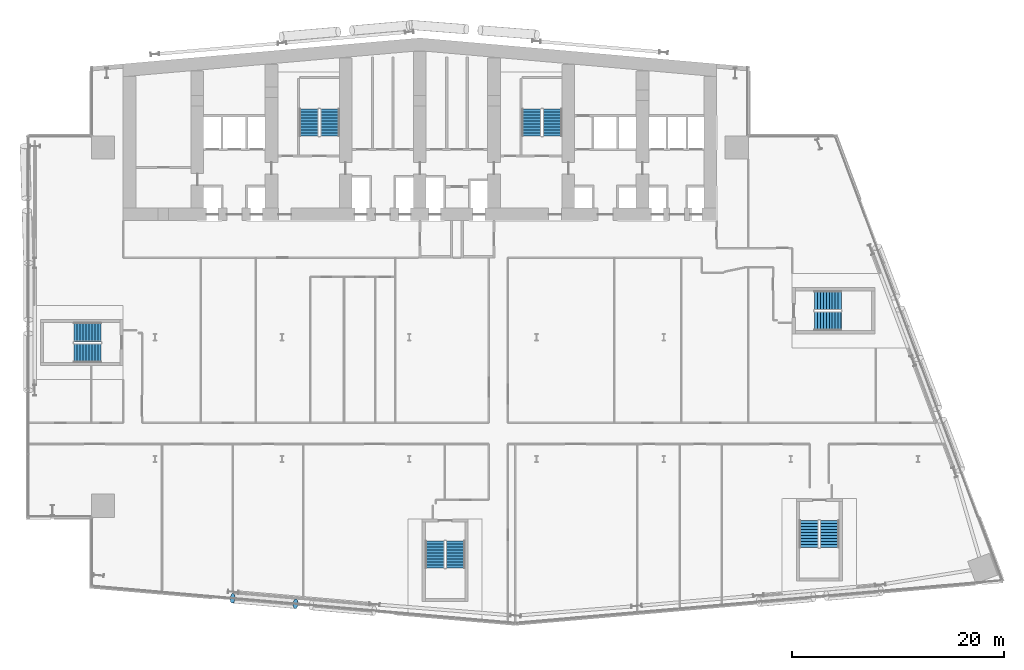
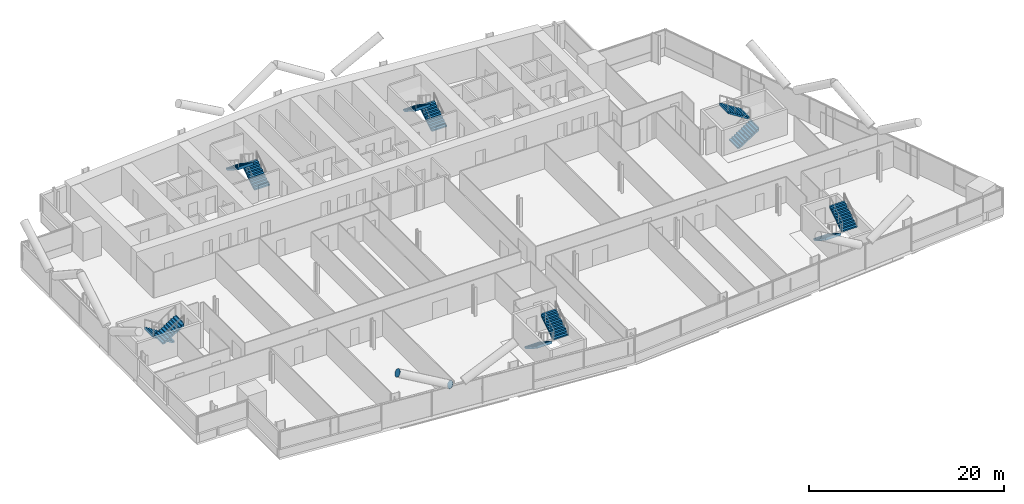
# One storey, part 20 of 27: 12 stair flights, 2 discrete accessories, 6 elements without a shape of their own.
"""IFC4 building model written with IfcOpenShell, lengths in metres."""

from ifc_helpers import new_model, si_unit, direction, frame, origin, origin_2d, place, context, subcontext, project, spatial, polyline, circle, outline, extrude, material, material_profile, profile_set, type_object, element, aggregate, save


model = new_model("IFC4")

# Units and contexts
model_context = context("Model", 3, precision=1e-05, world=origin(), true_north=direction((0.0, 1.0)))
body_context = subcontext(model_context, "Body", "Model", "MODEL_VIEW")
ifc_project = project(units=[si_unit("LENGTHUNIT", "METRE"), si_unit("AREAUNIT", "SQUARE_METRE"), si_unit("VOLUMEUNIT", "CUBIC_METRE"), si_unit("PLANEANGLEUNIT", "RADIAN"), si_unit("MASSUNIT", "GRAM", prefix="KILO")], contexts=[model_context])

# Site, building, storey
site_placement = place(None, origin())
site = spatial("IfcSite", under=ifc_project, at=site_placement, CompositionType="ELEMENT")
building_placement = place(site_placement, origin())
building = spatial("IfcBuilding", under=site, at=building_placement, Name="Wharfspan Tower", CompositionType="ELEMENT")
storey_placement = place(building_placement, frame((0.0, 0.0, 84.699951)))
storey = spatial("IfcBuildingStorey", under=building, at=storey_placement, Name="L18", CompositionType="ELEMENT", Elevation=84.699951)

# Stair, stair flights
ifc_material_1 = material(Name="Concrete C40/50", Category="concrete")
stair_type = type_object("IfcStairType", Name="Half-turn stair 20 risers 180 mm", PredefinedType="HALF_TURN_STAIR", material=ifc_material_1)
stair_1_placement = place(storey_placement, origin())
stair_1 = element("IfcStair", 1, at=stair_1_placement, inside=storey, type_object=stair_type, Name="L18 stair ST1", PredefinedType="HALF_TURN_STAIR")
stair_flight_type = type_object("IfcStairFlightType", Name="Stair flight 20 risers 180 mm", PredefinedType="STRAIGHT", material=ifc_material_1)
stair_flight_1_placement = place(storey_placement, frame((28.5, 42.0, 0.0), z_axis=(0.0, 0.0, 1.0), x_axis=(0.0, 1.0, 0.0)))
stair_flight_1 = element("IfcStairFlight", 2, at=stair_flight_1_placement, type_object=stair_flight_type, Name="ST1 flight 1", NumberOfRisers=10, NumberOfTreads=9, PredefinedType="STRAIGHT", RiserHeight=0.18, TreadLength=0.28, context=body_context, shape_type="SweptSolid", body=[
    extrude(outline(polyline([(-0.011963, 0.0), (-0.011963, 0.179932), (0.0, 0.179932), (0.280029, 0.179932), (0.280029, 0.360107), (0.560059, 0.360107), (0.560059, 0.540039), (0.840088, 0.540039), (0.840088, 0.719971), (1.120117, 0.719971), (1.120117, 0.899902), (1.399902, 0.899902), (1.399902, 1.080078), (1.679932, 1.080078), (1.679932, 1.26001), (1.959961, 1.26001), (1.959961, 1.439941), (2.23999, 1.439941), (2.23999, 1.620117), (2.52002, 1.620117), (2.531982, 1.800049), (2.531982, 1.441895), (0.2771, 0.0), (-0.011963, 0.0)])), frame((0.0, 0.899902, 0.0), z_axis=(0.0, -1.0, 0.0), x_axis=(1.0, 0.0, 0.0)), (0.0, 0.0, 1.0), 0.899414),
    extrude(outline(polyline([(-0.011963, 0.0), (-0.011963, 0.179932), (0.0, 0.179932), (0.280029, 0.179932), (0.280029, 0.360107), (0.560059, 0.360107), (0.560059, 0.540039), (0.840088, 0.540039), (0.840088, 0.719971), (1.120117, 0.719971), (1.120117, 0.899902), (1.399902, 0.899902), (1.399902, 1.080078), (1.679932, 1.080078), (1.679932, 1.26001), (1.959961, 1.26001), (1.959961, 1.439941), (2.23999, 1.439941), (2.23999, 1.620117), (2.52002, 1.620117), (2.531982, 1.800049), (2.531982, 1.441895), (0.2771, 0.0), (-0.011963, 0.0)])), frame((0.0, -0.000488, 0.0), z_axis=(0.0, -1.0, 0.0), x_axis=(1.0, 0.0, 0.0)), (0.0, 0.0, 1.0), 0.899414),
])
stair_flight_2_placement = place(storey_placement, frame((26.550049, 44.52002, 1.800049), z_axis=(0.0, 0.0, 1.0), x_axis=(0.0, -1.0, 0.0)))
stair_flight_2 = element("IfcStairFlight", 3, at=stair_flight_2_placement, type_object=stair_flight_type, Name="ST1 flight 2", NumberOfRisers=10, NumberOfTreads=9, PredefinedType="STRAIGHT", RiserHeight=0.18, TreadLength=0.28, context=body_context, shape_type="SweptSolid", body=[
    extrude(outline(polyline([(-0.011963, 0.0), (-0.011963, 0.179932), (0.0, 0.179932), (0.280029, 0.179932), (0.280029, 0.360107), (0.560059, 0.360107), (0.560059, 0.540039), (0.840088, 0.540039), (0.840088, 0.719971), (1.120117, 0.719971), (1.120117, 0.899902), (1.399902, 0.899902), (1.399902, 1.080078), (1.679932, 1.080078), (1.679932, 1.26001), (1.959961, 1.26001), (1.959961, 1.439941), (2.23999, 1.439941), (2.23999, 1.620117), (2.52002, 1.620117), (2.531982, 1.800049), (2.531982, 1.441895), (0.2771, 0.0), (-0.011963, 0.0)])), frame((0.0, 0.899902, 0.0), z_axis=(0.0, -1.0, 0.0), x_axis=(1.0, 0.0, 0.0)), (0.0, 0.0, 1.0), 0.899414),
    extrude(outline(polyline([(-0.011963, 0.0), (-0.011963, 0.179932), (0.0, 0.179932), (0.280029, 0.179932), (0.280029, 0.360107), (0.560059, 0.360107), (0.560059, 0.540039), (0.840088, 0.540039), (0.840088, 0.719971), (1.120117, 0.719971), (1.120117, 0.899902), (1.399902, 0.899902), (1.399902, 1.080078), (1.679932, 1.080078), (1.679932, 1.26001), (1.959961, 1.26001), (1.959961, 1.439941), (2.23999, 1.439941), (2.23999, 1.620117), (2.52002, 1.620117), (2.531982, 1.800049), (2.531982, 1.441895), (0.2771, 0.0), (-0.011963, 0.0)])), frame((0.0, -0.000488, 0.0), z_axis=(0.0, -1.0, 0.0), x_axis=(1.0, 0.0, 0.0)), (0.0, 0.0, 1.0), 0.899414),
])
aggregate(stair_1, [stair_flight_1, stair_flight_2])

stair_2_placement = place(storey_placement, origin())
stair_2 = element("IfcStair", 4, at=stair_2_placement, inside=storey, type_object=stair_type, Name="L18 stair ST2", PredefinedType="HALF_TURN_STAIR")
stair_flight_3_placement = place(storey_placement, frame((49.5, 42.0, 0.0), z_axis=(0.0, 0.0, 1.0), x_axis=(0.0, 1.0, 0.0)))
stair_flight_3 = element("IfcStairFlight", 5, at=stair_flight_3_placement, type_object=stair_flight_type, Name="ST2 flight 1", NumberOfRisers=10, NumberOfTreads=9, PredefinedType="STRAIGHT", RiserHeight=0.18, TreadLength=0.28, context=body_context, shape_type="SweptSolid", body=[
    extrude(outline(polyline([(-0.011963, 0.0), (-0.011963, 0.179932), (0.0, 0.179932), (0.280029, 0.179932), (0.280029, 0.360107), (0.560059, 0.360107), (0.560059, 0.540039), (0.840088, 0.540039), (0.840088, 0.719971), (1.120117, 0.719971), (1.120117, 0.899902), (1.399902, 0.899902), (1.399902, 1.080078), (1.679932, 1.080078), (1.679932, 1.26001), (1.959961, 1.26001), (1.959961, 1.439941), (2.23999, 1.439941), (2.23999, 1.620117), (2.52002, 1.620117), (2.531982, 1.800049), (2.531982, 1.441895), (0.2771, 0.0), (-0.011963, 0.0)])), frame((0.0, 0.899902, 0.0), z_axis=(0.0, -1.0, 0.0), x_axis=(1.0, 0.0, 0.0)), (0.0, 0.0, 1.0), 0.899414),
    extrude(outline(polyline([(-0.011963, 0.0), (-0.011963, 0.179932), (0.0, 0.179932), (0.280029, 0.179932), (0.280029, 0.360107), (0.560059, 0.360107), (0.560059, 0.540039), (0.840088, 0.540039), (0.840088, 0.719971), (1.120117, 0.719971), (1.120117, 0.899902), (1.399902, 0.899902), (1.399902, 1.080078), (1.679932, 1.080078), (1.679932, 1.26001), (1.959961, 1.26001), (1.959961, 1.439941), (2.23999, 1.439941), (2.23999, 1.620117), (2.52002, 1.620117), (2.531982, 1.800049), (2.531982, 1.441895), (0.2771, 0.0), (-0.011963, 0.0)])), frame((0.0, -0.000488, 0.0), z_axis=(0.0, -1.0, 0.0), x_axis=(1.0, 0.0, 0.0)), (0.0, 0.0, 1.0), 0.899414),
])
stair_flight_4_placement = place(storey_placement, frame((47.550049, 44.52002, 1.800049), z_axis=(0.0, 0.0, 1.0), x_axis=(0.0, -1.0, 0.0)))
stair_flight_4 = element("IfcStairFlight", 6, at=stair_flight_4_placement, type_object=stair_flight_type, Name="ST2 flight 2", NumberOfRisers=10, NumberOfTreads=9, PredefinedType="STRAIGHT", RiserHeight=0.18, TreadLength=0.28, context=body_context, shape_type="SweptSolid", body=[
    extrude(outline(polyline([(-0.011963, 0.0), (-0.011963, 0.179932), (0.0, 0.179932), (0.280029, 0.179932), (0.280029, 0.360107), (0.560059, 0.360107), (0.560059, 0.540039), (0.840088, 0.540039), (0.840088, 0.719971), (1.120117, 0.719971), (1.120117, 0.899902), (1.399902, 0.899902), (1.399902, 1.080078), (1.679932, 1.080078), (1.679932, 1.26001), (1.959961, 1.26001), (1.959961, 1.439941), (2.23999, 1.439941), (2.23999, 1.620117), (2.52002, 1.620117), (2.531982, 1.800049), (2.531982, 1.441895), (0.2771, 0.0), (-0.011963, 0.0)])), frame((0.0, 0.899902, 0.0), z_axis=(0.0, -1.0, 0.0), x_axis=(1.0, 0.0, 0.0)), (0.0, 0.0, 1.0), 0.899414),
    extrude(outline(polyline([(-0.011963, 0.0), (-0.011963, 0.179932), (0.0, 0.179932), (0.280029, 0.179932), (0.280029, 0.360107), (0.560059, 0.360107), (0.560059, 0.540039), (0.840088, 0.540039), (0.840088, 0.719971), (1.120117, 0.719971), (1.120117, 0.899902), (1.399902, 0.899902), (1.399902, 1.080078), (1.679932, 1.080078), (1.679932, 1.26001), (1.959961, 1.26001), (1.959961, 1.439941), (2.23999, 1.439941), (2.23999, 1.620117), (2.52002, 1.620117), (2.531982, 1.800049), (2.531982, 1.441895), (0.2771, 0.0), (-0.011963, 0.0)])), frame((0.0, -0.000488, 0.0), z_axis=(0.0, -1.0, 0.0), x_axis=(1.0, 0.0, 0.0)), (0.0, 0.0, 1.0), 0.899414),
])
aggregate(stair_2, [stair_flight_3, stair_flight_4])

stair_3_placement = place(storey_placement, origin())
stair_3 = element("IfcStair", 7, at=stair_3_placement, inside=storey, type_object=stair_type, Name="L18 stair ST3", PredefinedType="HALF_TURN_STAIR")
stair_flight_5_placement = place(storey_placement, frame((6.899902, 23.475098, 0.0), z_axis=(0.0, 0.0, 1.0), x_axis=(-1.0, 0.0, 0.0)))
stair_flight_5 = element("IfcStairFlight", 8, at=stair_flight_5_placement, type_object=stair_flight_type, Name="ST3 flight 1", NumberOfRisers=10, NumberOfTreads=9, PredefinedType="STRAIGHT", RiserHeight=0.18, TreadLength=0.28, context=body_context, shape_type="SweptSolid", body=[
    extrude(outline(polyline([(-0.011963, 0.0), (-0.011963, 0.179932), (0.0, 0.179932), (0.280029, 0.179932), (0.280029, 0.360107), (0.560059, 0.360107), (0.560059, 0.540039), (0.840088, 0.540039), (0.840088, 0.719971), (1.120117, 0.719971), (1.120117, 0.899902), (1.399902, 0.899902), (1.399902, 1.080078), (1.679932, 1.080078), (1.679932, 1.26001), (1.959961, 1.26001), (1.959961, 1.439941), (2.23999, 1.439941), (2.23999, 1.620117), (2.52002, 1.620117), (2.531982, 1.800049), (2.531982, 1.441895), (0.2771, 0.0), (-0.011963, 0.0)])), frame((0.0, 0.899902, 0.0), z_axis=(0.0, -1.0, 0.0), x_axis=(1.0, 0.0, 0.0)), (0.0, 0.0, 1.0), 0.899414),
    extrude(outline(polyline([(-0.011963, 0.0), (-0.011963, 0.179932), (0.0, 0.179932), (0.280029, 0.179932), (0.280029, 0.360107), (0.560059, 0.360107), (0.560059, 0.540039), (0.840088, 0.540039), (0.840088, 0.719971), (1.120117, 0.719971), (1.120117, 0.899902), (1.399902, 0.899902), (1.399902, 1.080078), (1.679932, 1.080078), (1.679932, 1.26001), (1.959961, 1.26001), (1.959961, 1.439941), (2.23999, 1.439941), (2.23999, 1.620117), (2.52002, 1.620117), (2.531982, 1.800049), (2.531982, 1.441895), (0.2771, 0.0), (-0.011963, 0.0)])), frame((0.0, -0.000488, 0.0), z_axis=(0.0, -1.0, 0.0), x_axis=(1.0, 0.0, 0.0)), (0.0, 0.0, 1.0), 0.899414),
])
stair_flight_6_placement = place(storey_placement, frame((4.379883, 21.524902, 1.800049), z_axis=(0.0, 0.0, 1.0), x_axis=(1.0, 0.0, 0.0)))
stair_flight_6 = element("IfcStairFlight", 9, at=stair_flight_6_placement, type_object=stair_flight_type, Name="ST3 flight 2", NumberOfRisers=10, NumberOfTreads=9, PredefinedType="STRAIGHT", RiserHeight=0.18, TreadLength=0.28, context=body_context, shape_type="SweptSolid", body=[
    extrude(outline(polyline([(-0.011963, 0.0), (-0.011963, 0.179932), (0.0, 0.179932), (0.280029, 0.179932), (0.280029, 0.360107), (0.560059, 0.360107), (0.560059, 0.540039), (0.840088, 0.540039), (0.840088, 0.719971), (1.120117, 0.719971), (1.120117, 0.899902), (1.399902, 0.899902), (1.399902, 1.080078), (1.679932, 1.080078), (1.679932, 1.26001), (1.959961, 1.26001), (1.959961, 1.439941), (2.23999, 1.439941), (2.23999, 1.620117), (2.52002, 1.620117), (2.531982, 1.800049), (2.531982, 1.441895), (0.2771, 0.0), (-0.011963, 0.0)])), frame((0.0, 0.899902, 0.0), z_axis=(0.0, -1.0, 0.0), x_axis=(1.0, 0.0, 0.0)), (0.0, 0.0, 1.0), 0.899414),
    extrude(outline(polyline([(-0.011963, 0.0), (-0.011963, 0.179932), (0.0, 0.179932), (0.280029, 0.179932), (0.280029, 0.360107), (0.560059, 0.360107), (0.560059, 0.540039), (0.840088, 0.540039), (0.840088, 0.719971), (1.120117, 0.719971), (1.120117, 0.899902), (1.399902, 0.899902), (1.399902, 1.080078), (1.679932, 1.080078), (1.679932, 1.26001), (1.959961, 1.26001), (1.959961, 1.439941), (2.23999, 1.439941), (2.23999, 1.620117), (2.52002, 1.620117), (2.531982, 1.800049), (2.531982, 1.441895), (0.2771, 0.0), (-0.011963, 0.0)])), frame((0.0, -0.000488, 0.0), z_axis=(0.0, -1.0, 0.0), x_axis=(1.0, 0.0, 0.0)), (0.0, 0.0, 1.0), 0.899414),
])
aggregate(stair_3, [stair_flight_5, stair_flight_6])

stair_4_placement = place(storey_placement, origin())
stair_4 = element("IfcStair", 10, at=stair_4_placement, inside=storey, type_object=stair_type, Name="L18 stair ST4", PredefinedType="HALF_TURN_STAIR")
stair_flight_7_placement = place(storey_placement, frame((38.408203, 3.760498, 0.0), z_axis=(0.0, 0.0, 1.0), x_axis=(0.0, -1.0, 0.0)))
stair_flight_7 = element("IfcStairFlight", 11, at=stair_flight_7_placement, type_object=stair_flight_type, Name="ST4 flight 1", NumberOfRisers=10, NumberOfTreads=9, PredefinedType="STRAIGHT", RiserHeight=0.18, TreadLength=0.28, context=body_context, shape_type="SweptSolid", body=[
    extrude(outline(polyline([(-0.011963, 0.0), (-0.011963, 0.179932), (0.0, 0.179932), (0.280029, 0.179932), (0.280029, 0.360107), (0.560059, 0.360107), (0.560059, 0.540039), (0.840088, 0.540039), (0.840088, 0.719971), (1.120117, 0.719971), (1.120117, 0.899902), (1.399902, 0.899902), (1.399902, 1.080078), (1.679932, 1.080078), (1.679932, 1.26001), (1.959961, 1.26001), (1.959961, 1.439941), (2.23999, 1.439941), (2.23999, 1.620117), (2.52002, 1.620117), (2.531982, 1.800049), (2.531982, 1.441895), (0.2771, 0.0), (-0.011963, 0.0)])), frame((0.0, 0.899902, 0.0), z_axis=(0.0, -1.0, 0.0), x_axis=(1.0, 0.0, 0.0)), (0.0, 0.0, 1.0), 0.899414),
    extrude(outline(polyline([(-0.011963, 0.0), (-0.011963, 0.179932), (0.0, 0.179932), (0.280029, 0.179932), (0.280029, 0.360107), (0.560059, 0.360107), (0.560059, 0.540039), (0.840088, 0.540039), (0.840088, 0.719971), (1.120117, 0.719971), (1.120117, 0.899902), (1.399902, 0.899902), (1.399902, 1.080078), (1.679932, 1.080078), (1.679932, 1.26001), (1.959961, 1.26001), (1.959961, 1.439941), (2.23999, 1.439941), (2.23999, 1.620117), (2.52002, 1.620117), (2.531982, 1.800049), (2.531982, 1.441895), (0.2771, 0.0), (-0.011963, 0.0)])), frame((0.0, -0.000488, 0.0), z_axis=(0.0, -1.0, 0.0), x_axis=(1.0, 0.0, 0.0)), (0.0, 0.0, 1.0), 0.899414),
])
stair_flight_8_placement = place(storey_placement, frame((40.358398, 1.240723, 1.800049), z_axis=(0.0, 0.0, 1.0), x_axis=(0.0, 1.0, 0.0)))
stair_flight_8 = element("IfcStairFlight", 12, at=stair_flight_8_placement, type_object=stair_flight_type, Name="ST4 flight 2", NumberOfRisers=10, NumberOfTreads=9, PredefinedType="STRAIGHT", RiserHeight=0.18, TreadLength=0.28, context=body_context, shape_type="SweptSolid", body=[
    extrude(outline(polyline([(-0.011963, 0.0), (-0.011963, 0.179932), (0.0, 0.179932), (0.280029, 0.179932), (0.280029, 0.360107), (0.560059, 0.360107), (0.560059, 0.540039), (0.840088, 0.540039), (0.840088, 0.719971), (1.120117, 0.719971), (1.120117, 0.899902), (1.399902, 0.899902), (1.399902, 1.080078), (1.679932, 1.080078), (1.679932, 1.26001), (1.959961, 1.26001), (1.959961, 1.439941), (2.23999, 1.439941), (2.23999, 1.620117), (2.52002, 1.620117), (2.531982, 1.800049), (2.531982, 1.441895), (0.2771, 0.0), (-0.011963, 0.0)])), frame((0.0, 0.899902, 0.0), z_axis=(0.0, -1.0, 0.0), x_axis=(1.0, 0.0, 0.0)), (0.0, 0.0, 1.0), 0.899414),
    extrude(outline(polyline([(-0.011963, 0.0), (-0.011963, 0.179932), (0.0, 0.179932), (0.280029, 0.179932), (0.280029, 0.360107), (0.560059, 0.360107), (0.560059, 0.540039), (0.840088, 0.540039), (0.840088, 0.719971), (1.120117, 0.719971), (1.120117, 0.899902), (1.399902, 0.899902), (1.399902, 1.080078), (1.679932, 1.080078), (1.679932, 1.26001), (1.959961, 1.26001), (1.959961, 1.439941), (2.23999, 1.439941), (2.23999, 1.620117), (2.52002, 1.620117), (2.531982, 1.800049), (2.531982, 1.441895), (0.2771, 0.0), (-0.011963, 0.0)])), frame((0.0, -0.000488, 0.0), z_axis=(0.0, -1.0, 0.0), x_axis=(1.0, 0.0, 0.0)), (0.0, 0.0, 1.0), 0.899414),
])
aggregate(stair_4, [stair_flight_7, stair_flight_8])

stair_5_placement = place(storey_placement, origin())
stair_5 = element("IfcStair", 13, at=stair_5_placement, inside=storey, type_object=stair_type, Name="L18 stair ST5", PredefinedType="HALF_TURN_STAIR")
stair_flight_9_placement = place(storey_placement, frame((73.717529, 5.691895, 0.0), z_axis=(0.0, 0.0, 1.0), x_axis=(0.0, -1.0, 0.0)))
stair_flight_9 = element("IfcStairFlight", 14, at=stair_flight_9_placement, type_object=stair_flight_type, Name="ST5 flight 1", NumberOfRisers=10, NumberOfTreads=9, PredefinedType="STRAIGHT", RiserHeight=0.18, TreadLength=0.28, context=body_context, shape_type="SweptSolid", body=[
    extrude(outline(polyline([(-0.011963, 0.0), (-0.011963, 0.179932), (0.0, 0.179932), (0.280029, 0.179932), (0.280029, 0.360107), (0.560059, 0.360107), (0.560059, 0.540039), (0.840088, 0.540039), (0.840088, 0.719971), (1.120117, 0.719971), (1.120117, 0.899902), (1.399902, 0.899902), (1.399902, 1.080078), (1.679932, 1.080078), (1.679932, 1.26001), (1.959961, 1.26001), (1.959961, 1.439941), (2.23999, 1.439941), (2.23999, 1.620117), (2.52002, 1.620117), (2.531982, 1.800049), (2.531982, 1.441895), (0.2771, 0.0), (-0.011963, 0.0)])), frame((0.0, 0.899902, 0.0), z_axis=(0.0, -1.0, 0.0), x_axis=(1.0, 0.0, 0.0)), (0.0, 0.0, 1.0), 0.899414),
    extrude(outline(polyline([(-0.011963, 0.0), (-0.011963, 0.179932), (0.0, 0.179932), (0.280029, 0.179932), (0.280029, 0.360107), (0.560059, 0.360107), (0.560059, 0.540039), (0.840088, 0.540039), (0.840088, 0.719971), (1.120117, 0.719971), (1.120117, 0.899902), (1.399902, 0.899902), (1.399902, 1.080078), (1.679932, 1.080078), (1.679932, 1.26001), (1.959961, 1.26001), (1.959961, 1.439941), (2.23999, 1.439941), (2.23999, 1.620117), (2.52002, 1.620117), (2.531982, 1.800049), (2.531982, 1.441895), (0.2771, 0.0), (-0.011963, 0.0)])), frame((0.0, -0.000488, 0.0), z_axis=(0.0, -1.0, 0.0), x_axis=(1.0, 0.0, 0.0)), (0.0, 0.0, 1.0), 0.899414),
])
stair_flight_10_placement = place(storey_placement, frame((75.66748, 3.172119, 1.800049), z_axis=(0.0, 0.0, 1.0), x_axis=(0.0, 1.0, 0.0)))
stair_flight_10 = element("IfcStairFlight", 15, at=stair_flight_10_placement, type_object=stair_flight_type, Name="ST5 flight 2", NumberOfRisers=10, NumberOfTreads=9, PredefinedType="STRAIGHT", RiserHeight=0.18, TreadLength=0.28, context=body_context, shape_type="SweptSolid", body=[
    extrude(outline(polyline([(-0.011963, 0.0), (-0.011963, 0.179932), (0.0, 0.179932), (0.280029, 0.179932), (0.280029, 0.360107), (0.560059, 0.360107), (0.560059, 0.540039), (0.840088, 0.540039), (0.840088, 0.719971), (1.120117, 0.719971), (1.120117, 0.899902), (1.399902, 0.899902), (1.399902, 1.080078), (1.679932, 1.080078), (1.679932, 1.26001), (1.959961, 1.26001), (1.959961, 1.439941), (2.23999, 1.439941), (2.23999, 1.620117), (2.52002, 1.620117), (2.531982, 1.800049), (2.531982, 1.441895), (0.2771, 0.0), (-0.011963, 0.0)])), frame((0.0, 0.899902, 0.0), z_axis=(0.0, -1.0, 0.0), x_axis=(1.0, 0.0, 0.0)), (0.0, 0.0, 1.0), 0.899414),
    extrude(outline(polyline([(-0.011963, 0.0), (-0.011963, 0.179932), (0.0, 0.179932), (0.280029, 0.179932), (0.280029, 0.360107), (0.560059, 0.360107), (0.560059, 0.540039), (0.840088, 0.540039), (0.840088, 0.719971), (1.120117, 0.719971), (1.120117, 0.899902), (1.399902, 0.899902), (1.399902, 1.080078), (1.679932, 1.080078), (1.679932, 1.26001), (1.959961, 1.26001), (1.959961, 1.439941), (2.23999, 1.439941), (2.23999, 1.620117), (2.52002, 1.620117), (2.531982, 1.800049), (2.531982, 1.441895), (0.2771, 0.0), (-0.011963, 0.0)])), frame((0.0, -0.000488, 0.0), z_axis=(0.0, -1.0, 0.0), x_axis=(1.0, 0.0, 0.0)), (0.0, 0.0, 1.0), 0.899414),
])
aggregate(stair_5, [stair_flight_9, stair_flight_10])

stair_6_placement = place(storey_placement, origin())
stair_6 = element("IfcStair", 16, at=stair_6_placement, inside=storey, type_object=stair_type, Name="L18 stair ST6", PredefinedType="HALF_TURN_STAIR")
stair_flight_11_placement = place(storey_placement, frame((74.225098, 24.524902, 0.0), z_axis=(0.0, 0.0, 1.0), x_axis=(1.0, 0.0, 0.0)))
stair_flight_11 = element("IfcStairFlight", 17, at=stair_flight_11_placement, type_object=stair_flight_type, Name="ST6 flight 1", NumberOfRisers=10, NumberOfTreads=9, PredefinedType="STRAIGHT", RiserHeight=0.18, TreadLength=0.28, context=body_context, shape_type="SweptSolid", body=[
    extrude(outline(polyline([(-0.011963, 0.0), (-0.011963, 0.179932), (0.0, 0.179932), (0.280029, 0.179932), (0.280029, 0.360107), (0.560059, 0.360107), (0.560059, 0.540039), (0.840088, 0.540039), (0.840088, 0.719971), (1.120117, 0.719971), (1.120117, 0.899902), (1.399902, 0.899902), (1.399902, 1.080078), (1.679932, 1.080078), (1.679932, 1.26001), (1.959961, 1.26001), (1.959961, 1.439941), (2.23999, 1.439941), (2.23999, 1.620117), (2.52002, 1.620117), (2.531982, 1.800049), (2.531982, 1.441895), (0.2771, 0.0), (-0.011963, 0.0)])), frame((0.0, 0.899902, 0.0), z_axis=(0.0, -1.0, 0.0), x_axis=(1.0, 0.0, 0.0)), (0.0, 0.0, 1.0), 0.899414),
    extrude(outline(polyline([(-0.011963, 0.0), (-0.011963, 0.179932), (0.0, 0.179932), (0.280029, 0.179932), (0.280029, 0.360107), (0.560059, 0.360107), (0.560059, 0.540039), (0.840088, 0.540039), (0.840088, 0.719971), (1.120117, 0.719971), (1.120117, 0.899902), (1.399902, 0.899902), (1.399902, 1.080078), (1.679932, 1.080078), (1.679932, 1.26001), (1.959961, 1.26001), (1.959961, 1.439941), (2.23999, 1.439941), (2.23999, 1.620117), (2.52002, 1.620117), (2.531982, 1.800049), (2.531982, 1.441895), (0.2771, 0.0), (-0.011963, 0.0)])), frame((0.0, -0.000488, 0.0), z_axis=(0.0, -1.0, 0.0), x_axis=(1.0, 0.0, 0.0)), (0.0, 0.0, 1.0), 0.899414),
])
stair_flight_12_placement = place(storey_placement, frame((76.745117, 26.475098, 1.800049), z_axis=(0.0, 0.0, 1.0), x_axis=(-1.0, 0.0, 0.0)))
stair_flight_12 = element("IfcStairFlight", 18, at=stair_flight_12_placement, type_object=stair_flight_type, Name="ST6 flight 2", NumberOfRisers=10, NumberOfTreads=9, PredefinedType="STRAIGHT", RiserHeight=0.18, TreadLength=0.28, context=body_context, shape_type="SweptSolid", body=[
    extrude(outline(polyline([(-0.011963, 0.0), (-0.011963, 0.179932), (0.0, 0.179932), (0.280029, 0.179932), (0.280029, 0.360107), (0.560059, 0.360107), (0.560059, 0.540039), (0.840088, 0.540039), (0.840088, 0.719971), (1.120117, 0.719971), (1.120117, 0.899902), (1.399902, 0.899902), (1.399902, 1.080078), (1.679932, 1.080078), (1.679932, 1.26001), (1.959961, 1.26001), (1.959961, 1.439941), (2.23999, 1.439941), (2.23999, 1.620117), (2.52002, 1.620117), (2.531982, 1.800049), (2.531982, 1.441895), (0.2771, 0.0), (-0.011963, 0.0)])), frame((0.0, 0.899902, 0.0), z_axis=(0.0, -1.0, 0.0), x_axis=(1.0, 0.0, 0.0)), (0.0, 0.0, 1.0), 0.899414),
    extrude(outline(polyline([(-0.011963, 0.0), (-0.011963, 0.179932), (0.0, 0.179932), (0.280029, 0.179932), (0.280029, 0.360107), (0.560059, 0.360107), (0.560059, 0.540039), (0.840088, 0.540039), (0.840088, 0.719971), (1.120117, 0.719971), (1.120117, 0.899902), (1.399902, 0.899902), (1.399902, 1.080078), (1.679932, 1.080078), (1.679932, 1.26001), (1.959961, 1.26001), (1.959961, 1.439941), (2.23999, 1.439941), (2.23999, 1.620117), (2.52002, 1.620117), (2.531982, 1.800049), (2.531982, 1.441895), (0.2771, 0.0), (-0.011963, 0.0)])), frame((0.0, -0.000488, 0.0), z_axis=(0.0, -1.0, 0.0), x_axis=(1.0, 0.0, 0.0)), (0.0, 0.0, 1.0), 0.899414),
])
aggregate(stair_6, [stair_flight_11, stair_flight_12])

# Discrete accessories
ifc_material_2 = material(Name="Steel S460NH", Category="steel")
ifc_material_profile = material_profile(ifc_material_2, circle(Radius=0.457031, at=origin_2d()))
ifc_profile_set = profile_set([ifc_material_profile], Name="Steel S460NH")
discrete_accessory_type = type_object("IfcDiscreteAccessoryType", Name="End plate CHS 914x40", PredefinedType="BRACKET", material=ifc_profile_set)
for number, where, z_axis, x_axis, name in (
    (19, (25.271973, -2.155762, 3.295654), (-0.871847, 0.072654, 0.484359), (-0.083044, -0.996547, 3e-06), "End plate CHS 914x40"),
    (20, (19.338135, -1.636719, 6.5), (-0.871847, 0.072654, 0.484359), (-0.083044, -0.996547, 3e-06), "End plate CHS 914x40"),
):
    element("IfcDiscreteAccessory", number, at=place(storey_placement, frame(where, z_axis=z_axis, x_axis=x_axis)), inside=storey, type_object=discrete_accessory_type, Name=name, PredefinedType="BRACKET", context=body_context, shape_type="SweptSolid", body=[
        extrude(circle(Radius=0.457031, at=origin_2d()), origin(), (0.0, 0.0, 1.0), 0.01001),
    ])

save(model, "model.ifc")
